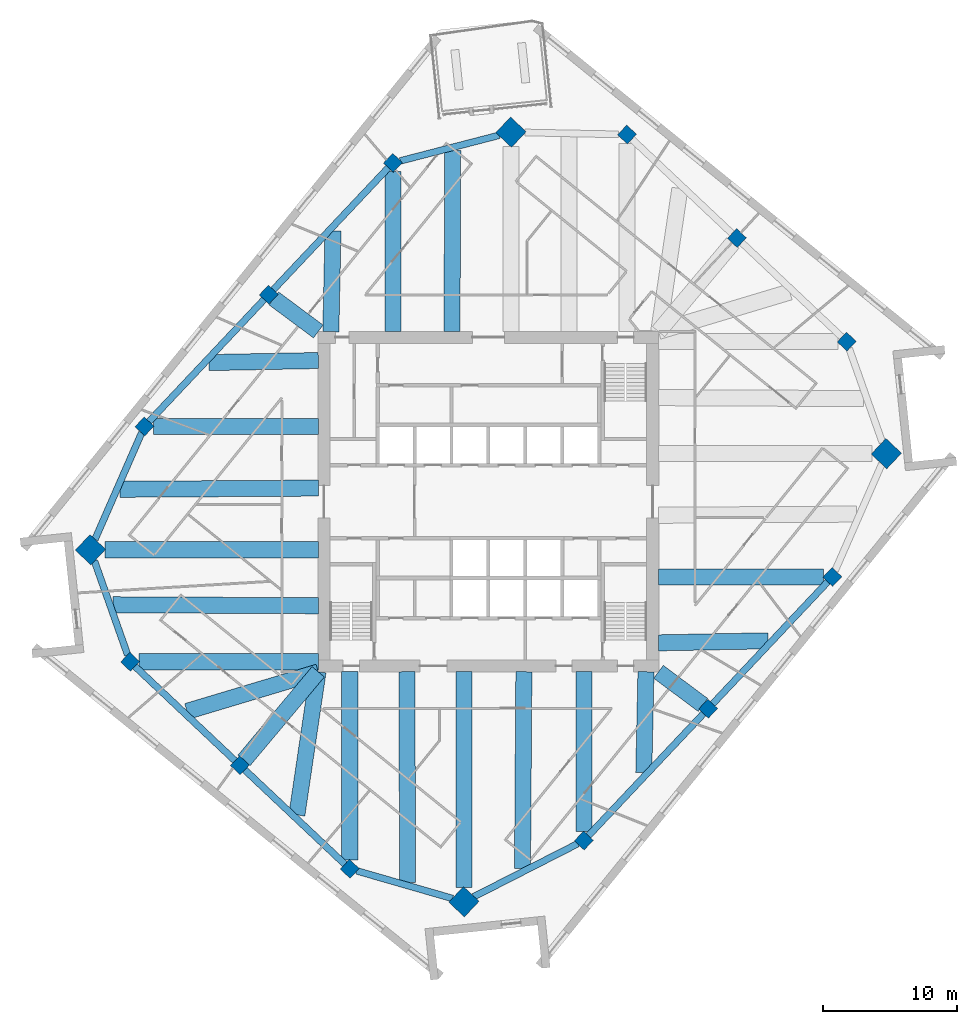
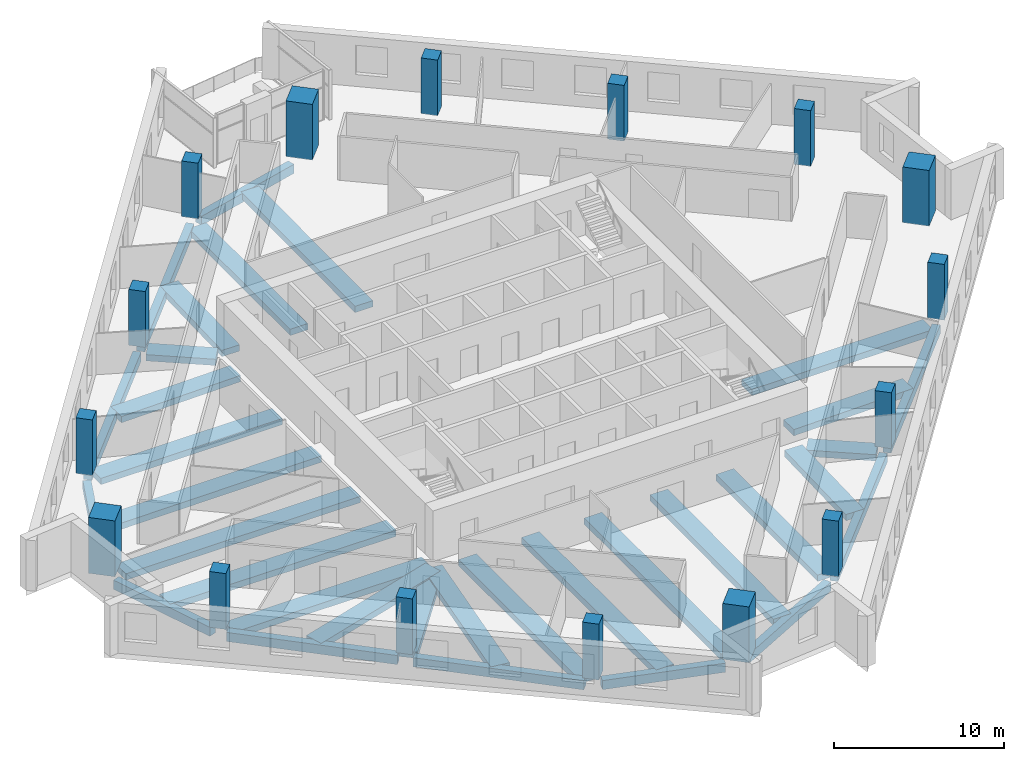
# One storey, part 1 of 14: 33 beams, 16 columns.
"""IFC4 building model written with IfcOpenShell, lengths in metres."""

from ifc_helpers import new_model, si_unit, direction, frame, origin, origin_2d, place, context, subcontext, project, spatial, rectangle, extrude, material, material_profile, profile_set, type_object, element, save


model = new_model("IFC4")

# Units and contexts
model_context = context("Model", 3, precision=1e-05, world=origin(), true_north=direction((0.0, 1.0)))
body_context = subcontext(model_context, "Body", "Model", "MODEL_VIEW")
ifc_project = project(units=[si_unit("LENGTHUNIT", "METRE"), si_unit("AREAUNIT", "SQUARE_METRE"), si_unit("VOLUMEUNIT", "CUBIC_METRE"), si_unit("PLANEANGLEUNIT", "RADIAN"), si_unit("MASSUNIT", "GRAM", prefix="KILO")], contexts=[model_context])

# Site, building, storey
site_placement = place(None, origin())
site = spatial("IfcSite", under=ifc_project, at=site_placement, CompositionType="ELEMENT")
building_placement = place(site_placement, origin())
building = spatial("IfcBuilding", under=site, at=building_placement, Name="Dilmun Exchange Tower", CompositionType="ELEMENT")
storey_placement = place(building_placement, frame((0.0, 0.0, 233.300048828125)))
storey = spatial("IfcBuildingStorey", under=building, at=storey_placement, Name="L55", CompositionType="ELEMENT", Elevation=233.300048828125)

# Columns
ifc_material_1 = material(Name="Concrete C60/75", Category="concrete")
ifc_material_profile_1 = material_profile(ifc_material_1, rectangle(XDim=1.60009765625, YDim=1.60009765625, at=origin_2d()), Name="1600 x 1600")
ifc_profile_set_1 = profile_set([ifc_material_profile_1], Name="Concrete C60/75")
column_type_1 = type_object("IfcColumnType", Name="RC mega column 1600 x 1600 C60/75", PredefinedType="COLUMN", material=ifc_profile_set_1)
for number, where, z_axis, x_axis, name in (
    (1, (1.68505859375, 27.5380859375, 0.0), (0.0, 0.0, 1.0), (0.685916152371, 0.727680583715, 0.0), "Mega column M1"),
    (2, (-29.658935546875, -3.58203125, 0.0), (0.0, 0.0, 1.0), (0.685916152371, 0.727680583715, 0.0), "Mega column M2"),
    (3, (-1.824951171875, -29.818115234375, 0.0), (0.0, 0.0, 1.0), (0.685916152371, 0.727680583715, 0.0), "Mega column M3"),
    (4, (29.658935546875, 3.58203125, 0.0), (0.0, 0.0, 1.0), (0.685916152371, 0.727680583715, 0.0), "Mega column M4"),
):
    element("IfcColumn", number, at=place(storey_placement, frame(where, z_axis=z_axis, x_axis=x_axis)), inside=storey, type_object=column_type_1, Name=name, PredefinedType="COLUMN", context=body_context, shape_type="SweptSolid", body=[
        extrude(rectangle(XDim=1.60009765625, YDim=1.60009765625, at=origin_2d()), origin(), (0.0, 0.0, 1.0), 4.0),
    ])
ifc_material_profile_2 = material_profile(ifc_material_1, rectangle(XDim=1.0, YDim=1.0, at=origin_2d()), Name="1000 x 1000")
ifc_profile_set_2 = profile_set([ifc_material_profile_2], Name="Concrete C60/75")
column_type_2 = type_object("IfcColumnType", Name="RC ring column 1000 x 1000 C60/75", PredefinedType="COLUMN", material=ifc_profile_set_2)
for number, where, z_axis, x_axis, name in (
    (5, (-7.113037109375, 25.257080078125, 0.0), (0.0, 0.0, 1.0), (0.685916152371, 0.727680583715, 0.0), "Ring column R01"),
    (6, (-16.373046875, 15.43310546875, 0.0), (0.0, 0.0, 1.0), (0.685916152371, 0.727680583715, 0.0), "Ring column R02"),
    (7, (-25.633056640625, 5.60888671875, 0.0), (0.0, 0.0, 1.0), (0.685916152371, 0.727680583715, 0.0), "Ring column R03"),
    (8, (-26.7060546875, -11.930908203125, 0.0), (0.0, 0.0, 1.0), (0.685916152371, 0.727680583715, 0.0), "Ring column R04"),
    (9, (-18.52001953125, -19.64697265625, 0.0), (0.0, 0.0, 1.0), (0.685916152371, 0.727680583715, 0.0), "Ring column R05"),
    (10, (-10.3330078125, -27.364013671875, 0.0), (0.0, 0.0, 1.0), (0.685916152371, 0.727680583715, 0.0), "Ring column R06"),
    (11, (7.113037109375, -25.257080078125, 0.0), (0.0, 0.0, 1.0), (0.685916152371, 0.727680583715, 0.0), "Ring column R07"),
    (12, (16.373046875, -15.43310546875, 0.0), (0.0, 0.0, 1.0), (0.685916152371, 0.727680583715, 0.0), "Ring column R08"),
    (13, (25.633056640625, -5.60888671875, 0.0), (0.0, 0.0, 1.0), (0.685916152371, 0.727680583715, 0.0), "Ring column R09"),
    (14, (26.7060546875, 11.930908203125, 0.0), (0.0, 0.0, 1.0), (0.685916152371, 0.727680583715, 0.0), "Ring column R10"),
    (15, (18.52001953125, 19.64697265625, 0.0), (0.0, 0.0, 1.0), (0.685916152371, 0.727680583715, 0.0), "Ring column R11"),
    (16, (10.3330078125, 27.364013671875, 0.0), (0.0, 0.0, 1.0), (0.685916152371, 0.727680583715, 0.0), "Ring column R12"),
):
    element("IfcColumn", number, at=place(storey_placement, frame(where, z_axis=z_axis, x_axis=x_axis)), inside=storey, type_object=column_type_2, Name=name, PredefinedType="COLUMN", context=body_context, shape_type="SweptSolid", body=[
        extrude(rectangle(XDim=1.0, YDim=1.0, at=origin_2d()), origin(), (0.0, 0.0, 1.0), 4.0),
    ])

# Beams
ifc_material_2 = material(Name="Concrete C40/50", Category="concrete")
ifc_material_profile_3 = material_profile(ifc_material_2, rectangle(XDim=1.199951171875, YDim=0.449951171875, at=origin_2d()), Name="1200 x 450")
ifc_profile_set_3 = profile_set([ifc_material_profile_3], Name="Concrete C40/50")
beam_type_1 = type_object("IfcBeamType", Name="RC band beam 1200 x 450 C40/50", PredefinedType="BEAM", material=ifc_profile_set_3)
beam_1_placement = place(storey_placement, frame((-7.113037109375, 24.596923828125, -0.705078125), z_axis=(0.0, -1.0, 0.0), x_axis=(1.0, 0.0, 0.0)))
element("IfcBeam", 17, at=beam_1_placement, inside=storey, type_object=beam_type_1, Name="Band beam 2", PredefinedType="BEAM", context=body_context, shape_type="SweptSolid", body=[
    extrude(rectangle(XDim=1.199951171875, YDim=0.449951171875, at=origin_2d()), origin(), (0.0, 0.0, 1.0), 11.923828125),
])
beam_2_placement = place(storey_placement, frame((-15.99072265625, 15.148681640625, -0.705078125), z_axis=(0.802264832552, -0.596968289317, 0.0), x_axis=(0.596968289317, 0.802264832552, 0.0)))
element("IfcBeam", 18, at=beam_2_placement, inside=storey, type_object=beam_type_1, Name="Band beam 3", PredefinedType="BEAM", context=body_context, shape_type="SweptSolid", body=[
    extrude(rectangle(XDim=1.199951171875, YDim=0.449951171875, at=origin_2d()), origin(), (0.0, 0.0, 1.0), 4.12890625),
])
beam_3_placement = place(storey_placement, frame((-24.972900390625, 5.60888671875, -0.705078125), z_axis=(1.0, 0.0, 0.0), x_axis=(0.0, 1.0, 0.0)))
element("IfcBeam", 19, at=beam_3_placement, inside=storey, type_object=beam_type_1, Name="Band beam 4", PredefinedType="BEAM", context=body_context, shape_type="SweptSolid", body=[
    extrude(rectangle(XDim=1.199951171875, YDim=0.449951171875, at=origin_2d()), origin(), (0.0, 0.0, 1.0), 12.2998046875),
])
beam_4_placement = place(storey_placement, frame((-28.586669921875, -3.58203125, -0.705078125), z_axis=(1.0, 0.0, 0.0), x_axis=(0.0, 1.0, 0.0)))
element("IfcBeam", 20, at=beam_4_placement, inside=storey, type_object=beam_type_1, Name="Band beam 5", PredefinedType="BEAM", context=body_context, shape_type="SweptSolid", body=[
    extrude(rectangle(XDim=1.199951171875, YDim=0.449951171875, at=origin_2d()), origin(), (0.0, 0.0, 1.0), 15.91357421875),
])
beam_5_placement = place(storey_placement, frame((-26.0458984375, -11.930908203125, -0.705078125), z_axis=(1.0, 0.0, 0.0), x_axis=(0.0, 1.0, 0.0)))
element("IfcBeam", 21, at=beam_5_placement, inside=storey, type_object=beam_type_1, Name="Band beam 6", PredefinedType="BEAM", context=body_context, shape_type="SweptSolid", body=[
    extrude(rectangle(XDim=1.199951171875, YDim=0.449951171875, at=origin_2d()), origin(), (0.0, 0.0, 1.0), 13.372802734375),
])
beam_6_placement = place(storey_placement, frame((-18.2158203125, -19.28369140625, -0.705078125), z_axis=(0.642200063897, 0.766537068856, 0.0), x_axis=(-0.766537068856, 0.642200063897, 0.0)))
element("IfcBeam", 22, at=beam_6_placement, inside=storey, type_object=beam_type_1, Name="Band beam 7", PredefinedType="BEAM", context=body_context, shape_type="SweptSolid", body=[
    extrude(rectangle(XDim=1.199951171875, YDim=0.449951171875, at=origin_2d()), origin(), (0.0, 0.0, 1.0), 8.615966796875),
])
beam_7_placement = place(storey_placement, frame((-10.3330078125, -26.703857421875, -0.705078125), z_axis=(0.0, 1.0, 0.0), x_axis=(-1.0, 0.0, 0.0)))
element("IfcBeam", 23, at=beam_7_placement, inside=storey, type_object=beam_type_1, Name="Band beam 8", PredefinedType="BEAM", context=body_context, shape_type="SweptSolid", body=[
    extrude(rectangle(XDim=1.199951171875, YDim=0.449951171875, at=origin_2d()), origin(), (0.0, 0.0, 1.0), 14.03076171875),
])
beam_8_placement = place(storey_placement, frame((-1.824951171875, -28.74560546875, -0.705078125), z_axis=(0.0, 1.0, 0.0), x_axis=(-1.0, 0.0, 0.0)))
element("IfcBeam", 24, at=beam_8_placement, inside=storey, type_object=beam_type_1, Name="Band beam 9", PredefinedType="BEAM", context=body_context, shape_type="SweptSolid", body=[
    extrude(rectangle(XDim=1.199951171875, YDim=0.449951171875, at=origin_2d()), origin(), (0.0, 0.0, 1.0), 16.072509765625),
])
beam_9_placement = place(storey_placement, frame((7.113037109375, -24.596923828125, -0.705078125), z_axis=(0.0, 1.0, 0.0), x_axis=(-1.0, 0.0, 0.0)))
element("IfcBeam", 25, at=beam_9_placement, inside=storey, type_object=beam_type_1, Name="Band beam 10", PredefinedType="BEAM", context=body_context, shape_type="SweptSolid", body=[
    extrude(rectangle(XDim=1.199951171875, YDim=0.449951171875, at=origin_2d()), origin(), (0.0, 0.0, 1.0), 11.923828125),
])
beam_10_placement = place(storey_placement, frame((15.99072265625, -15.148681640625, -0.705078125), z_axis=(-0.802264832552, 0.596968289317, 0.0), x_axis=(-0.596968289317, -0.802264832552, 0.0)))
element("IfcBeam", 26, at=beam_10_placement, inside=storey, type_object=beam_type_1, Name="Band beam 11", PredefinedType="BEAM", context=body_context, shape_type="SweptSolid", body=[
    extrude(rectangle(XDim=1.199951171875, YDim=0.449951171875, at=origin_2d()), origin(), (0.0, 0.0, 1.0), 4.12890625),
])
beam_11_placement = place(storey_placement, frame((24.972900390625, -5.60888671875, -0.705078125), z_axis=(-1.0, 0.0, 0.0), x_axis=(0.0, -1.0, 0.0)))
element("IfcBeam", 27, at=beam_11_placement, inside=storey, type_object=beam_type_1, Name="Band beam 12", PredefinedType="BEAM", context=body_context, shape_type="SweptSolid", body=[
    extrude(rectangle(XDim=1.199951171875, YDim=0.449951171875, at=origin_2d()), origin(), (0.0, 0.0, 1.0), 12.2998046875),
])
beam_12_placement = place(storey_placement, frame((-2.657958984375, 26.181640625, -0.60498046875), z_axis=(-0.004156765881, -0.999991360611, 0.0), x_axis=(0.999991360611, -0.004156765881, 0.0)))
element("IfcBeam", 28, at=beam_12_placement, inside=storey, type_object=beam_type_1, Name="Band beam 17", PredefinedType="BEAM", context=body_context, shape_type="SweptSolid", body=[
    extrude(rectangle(XDim=1.199951171875, YDim=0.449951171875, at=origin_2d()), origin(), (0.0, 0.0, 1.0), 13.508544921875),
])
beam_13_placement = place(storey_placement, frame((-11.580810546875, 20.19189453125, -0.60498046875), z_axis=(-0.021555532074, -0.999767652526, 0.0), x_axis=(0.999767652526, -0.021555532074, 0.0)))
element("IfcBeam", 29, at=beam_13_placement, inside=storey, type_object=beam_type_1, Name="Band beam 18", PredefinedType="BEAM", context=body_context, shape_type="SweptSolid", body=[
    extrude(rectangle(XDim=1.199951171875, YDim=0.449951171875, at=origin_2d()), origin(), (0.0, 0.0, 1.0), 7.5205078125),
])
beam_14_placement = place(storey_placement, frame((-20.8408203125, 10.367919921875, -0.60498046875), z_axis=(0.999824422594, 0.018738302585, 0.0), x_axis=(-0.018738302585, 0.999824422594, 0.0)))
element("IfcBeam", 30, at=beam_14_placement, inside=storey, type_object=beam_type_1, Name="Band beam 19", PredefinedType="BEAM", context=body_context, shape_type="SweptSolid", body=[
    extrude(rectangle(XDim=1.199951171875, YDim=0.449951171875, at=origin_2d()), origin(), (0.0, 0.0, 1.0), 8.169189453125),
])
beam_15_placement = place(storey_placement, frame((-27.441650390625, 0.924072265625, -0.60498046875), z_axis=(0.999981696912, 0.006050276087, 0.0), x_axis=(-0.006050276087, 0.999981696912, 0.0)))
element("IfcBeam", 31, at=beam_15_placement, inside=storey, type_object=beam_type_1, Name="Band beam 20", PredefinedType="BEAM", context=body_context, shape_type="SweptSolid", body=[
    extrude(rectangle(XDim=1.199951171875, YDim=0.449951171875, at=origin_2d()), origin(), (0.0, 0.0, 1.0), 14.768798828125),
])
beam_16_placement = place(storey_placement, frame((-27.972412109375, -7.68212890625, -0.60498046875), z_axis=(0.99998815601, -0.004867015408, 0.0), x_axis=(0.004867015408, 0.99998815601, 0.0)))
element("IfcBeam", 32, at=beam_16_placement, inside=storey, type_object=beam_type_1, Name="Band beam 21", PredefinedType="BEAM", context=body_context, shape_type="SweptSolid", body=[
    extrude(rectangle(XDim=1.199951171875, YDim=0.449951171875, at=origin_2d()), origin(), (0.0, 0.0, 1.0), 15.299560546875),
])
beam_17_placement = place(storey_placement, frame((-22.4599609375, -15.626708984375, -0.60498046875), z_axis=(0.957849959988, 0.287268957862, 0.0), x_axis=(-0.287268957862, 0.957849959988, 0.0)))
element("IfcBeam", 33, at=beam_17_placement, inside=storey, type_object=beam_type_1, Name="Band beam 22", PredefinedType="BEAM", context=body_context, shape_type="SweptSolid", body=[
    extrude(rectangle(XDim=1.199951171875, YDim=0.449951171875, at=origin_2d()), origin(), (0.0, 0.0, 1.0), 10.21630859375),
])
beam_18_placement = place(storey_placement, frame((-14.2734375, -23.34326171875, -0.60498046875), z_axis=(0.146268101323, 0.989244986106, 0.0), x_axis=(-0.989244986106, 0.146268101323, 0.0)))
element("IfcBeam", 34, at=beam_18_placement, inside=storey, type_object=beam_type_1, Name="Band beam 23", PredefinedType="BEAM", context=body_context, shape_type="SweptSolid", body=[
    extrude(rectangle(XDim=1.199951171875, YDim=0.449951171875, at=origin_2d()), origin(), (0.0, 0.0, 1.0), 10.785888671875),
])
beam_19_placement = place(storey_placement, frame((-6.01708984375, -28.376708984375, -0.60498046875), z_axis=(-0.003948851398, 0.999992203256, 0.0), x_axis=(-0.999992203256, -0.003948851398, 0.0)))
element("IfcBeam", 35, at=beam_19_placement, inside=storey, type_object=beam_type_1, Name="Band beam 24", PredefinedType="BEAM", context=body_context, shape_type="SweptSolid", body=[
    extrude(rectangle(XDim=1.199951171875, YDim=0.449951171875, at=origin_2d()), origin(), (0.0, 0.0, 1.0), 15.703857421875),
])
beam_20_placement = place(storey_placement, frame((2.54248046875, -27.3388671875, -0.60498046875), z_axis=(0.006924972536, 0.99997602209, 0.0), x_axis=(-0.99997602209, 0.006924972536, 0.0)))
element("IfcBeam", 36, at=beam_20_placement, inside=storey, type_object=beam_type_1, Name="Band beam 25", PredefinedType="BEAM", context=body_context, shape_type="SweptSolid", body=[
    extrude(rectangle(XDim=1.199951171875, YDim=0.449951171875, at=origin_2d()), origin(), (0.0, 0.0, 1.0), 14.666015625),
])
beam_21_placement = place(storey_placement, frame((11.580810546875, -20.19189453125, -0.60498046875), z_axis=(0.021555532074, 0.999767652526, 0.0), x_axis=(-0.999767652526, 0.021555532074, 0.0)))
element("IfcBeam", 37, at=beam_21_placement, inside=storey, type_object=beam_type_1, Name="Band beam 26", PredefinedType="BEAM", context=body_context, shape_type="SweptSolid", body=[
    extrude(rectangle(XDim=1.199951171875, YDim=0.449951171875, at=origin_2d()), origin(), (0.0, 0.0, 1.0), 7.5205078125),
])
beam_22_placement = place(storey_placement, frame((20.8408203125, -10.367919921875, -0.60498046875), z_axis=(-0.999824422594, -0.018738302585, 0.0), x_axis=(0.018738302585, -0.999824422594, 0.0)))
element("IfcBeam", 38, at=beam_22_placement, inside=storey, type_object=beam_type_1, Name="Band beam 27", PredefinedType="BEAM", context=body_context, shape_type="SweptSolid", body=[
    extrude(rectangle(XDim=1.199951171875, YDim=0.449951171875, at=origin_2d()), origin(), (0.0, 0.0, 1.0), 8.169189453125),
])
ifc_material_profile_4 = material_profile(ifc_material_2, rectangle(XDim=0.5, YDim=0.64990234375, at=origin_2d()), Name="500 x 650")
ifc_profile_set_4 = profile_set([ifc_material_profile_4], Name="Concrete C40/50")
beam_type_2 = type_object("IfcBeamType", Name="RC ring beam 500 x 650 C40/50", PredefinedType="SPANDREL", material=ifc_profile_set_4)
beam_23_placement = place(storey_placement, frame((0.79638671875, 27.3076171875, -0.705078125), z_axis=(-0.967995165605, -0.250968841424, 0.0), x_axis=(0.250968841424, -0.967995165605, 0.0)))
element("IfcBeam", 39, at=beam_23_placement, inside=storey, type_object=beam_type_2, Name="Ring beam 1", PredefinedType="SPANDREL", context=body_context, shape_type="SweptSolid", body=[
    extrude(rectangle(XDim=0.5, YDim=0.64990234375, at=origin_2d()), origin(), (0.0, 0.0, 1.0), 7.607177734375),
])
for number, where, z_axis, x_axis, name in (
    (40, (-7.4375, 24.912841796875, -0.705078125), (-0.685902559512, -0.727693396188, 0.0), (0.727693396188, -0.685902559512, 0.0), "Ring beam 2"),
    (41, (-16.697509765625, 15.0888671875, -0.705078125), (-0.685902559512, -0.727693396188, 0.0), (0.727693396188, -0.685902559512, 0.0), "Ring beam 3"),
):
    element("IfcBeam", number, at=place(storey_placement, frame(where, z_axis=z_axis, x_axis=x_axis)), inside=storey, type_object=beam_type_2, Name=name, PredefinedType="SPANDREL", context=body_context, shape_type="SweptSolid", body=[
        extrude(rectangle(XDim=0.5, YDim=0.64990234375, at=origin_2d()), origin(), (0.0, 0.0, 1.0), 12.554443359375),
    ])
beam_24_placement = place(storey_placement, frame((-25.835205078125, 5.1474609375, -0.705078125), z_axis=(-0.401239440722, -0.915973204416, 0.0), x_axis=(0.915973204416, -0.401239440722, 0.0)))
element("IfcBeam", 42, at=beam_24_placement, inside=storey, type_object=beam_type_2, Name="Ring beam 4", PredefinedType="SPANDREL", context=body_context, shape_type="SweptSolid", body=[
    extrude(rectangle(XDim=0.5, YDim=0.64990234375, at=origin_2d()), origin(), (0.0, 0.0, 1.0), 8.707763671875),
])
beam_25_placement = place(storey_placement, frame((-29.367919921875, -4.404541015625, -0.705078125), z_axis=(0.333423578623, -0.942777130195, 0.0), x_axis=(0.942777130195, 0.333423578623, 0.0)))
element("IfcBeam", 43, at=beam_25_placement, inside=storey, type_object=beam_type_2, Name="Ring beam 5", PredefinedType="SPANDREL", context=body_context, shape_type="SweptSolid", body=[
    extrude(rectangle(XDim=0.5, YDim=0.64990234375, at=origin_2d()), origin(), (0.0, 0.0, 1.0), 7.4482421875),
])
beam_26_placement = place(storey_placement, frame((-26.36181640625, -12.25537109375, -0.705078125), z_axis=(0.727685706374, -0.68591071776, 0.0), x_axis=(0.68591071776, 0.727685706374, 0.0)))
element("IfcBeam", 44, at=beam_26_placement, inside=storey, type_object=beam_type_2, Name="Ring beam 6", PredefinedType="SPANDREL", context=body_context, shape_type="SweptSolid", body=[
    extrude(rectangle(XDim=0.5, YDim=0.64990234375, at=origin_2d()), origin(), (0.0, 0.0, 1.0), 10.30322265625),
])
beam_27_placement = place(storey_placement, frame((-18.17578125, -19.971435546875, -0.705078125), z_axis=(0.727682990869, -0.685913598641, 0.0), x_axis=(0.685913598641, 0.727682990869, 0.0)))
element("IfcBeam", 45, at=beam_27_placement, inside=storey, type_object=beam_type_2, Name="Ring beam 7", PredefinedType="SPANDREL", context=body_context, shape_type="SweptSolid", body=[
    extrude(rectangle(XDim=0.5, YDim=0.64990234375, at=origin_2d()), origin(), (0.0, 0.0, 1.0), 10.3046875),
])
beam_28_placement = place(storey_placement, frame((-9.818603515625, -27.51220703125, -0.705078125), z_axis=(0.960825605861, -0.277153666983, 0.0), x_axis=(0.277153666983, 0.960825605861, 0.0)))
element("IfcBeam", 46, at=beam_28_placement, inside=storey, type_object=beam_type_2, Name="Ring beam 8", PredefinedType="SPANDREL", context=body_context, shape_type="SweptSolid", body=[
    extrude(rectangle(XDim=0.5, YDim=0.64990234375, at=origin_2d()), origin(), (0.0, 0.0, 1.0), 7.447021484375),
])
beam_29_placement = place(storey_placement, frame((-1.09228515625, -29.444091796875, -0.705078125), z_axis=(0.89072990219, 0.454532992581, 0.0), x_axis=(-0.454532992581, 0.89072990219, 0.0)))
element("IfcBeam", 47, at=beam_29_placement, inside=storey, type_object=beam_type_2, Name="Ring beam 9", PredefinedType="SPANDREL", context=body_context, shape_type="SweptSolid", body=[
    extrude(rectangle(XDim=0.5, YDim=0.64990234375, at=origin_2d()), origin(), (0.0, 0.0, 1.0), 8.707763671875),
])
for number, where, z_axis, x_axis, name in (
    (48, (7.4375, -24.912841796875, -0.705078125), (0.685902559512, 0.727693396188, 0.0), (-0.727693396188, 0.685902559512, 0.0), "Ring beam 10"),
    (49, (16.697509765625, -15.0888671875, -0.705078125), (0.685902559512, 0.727693396188, 0.0), (-0.727693396188, 0.685902559512, 0.0), "Ring beam 11"),
):
    element("IfcBeam", number, at=place(storey_placement, frame(where, z_axis=z_axis, x_axis=x_axis)), inside=storey, type_object=beam_type_2, Name=name, PredefinedType="SPANDREL", context=body_context, shape_type="SweptSolid", body=[
        extrude(rectangle(XDim=0.5, YDim=0.64990234375, at=origin_2d()), origin(), (0.0, 0.0, 1.0), 12.554443359375),
    ])

save(model, "model.ifc")
